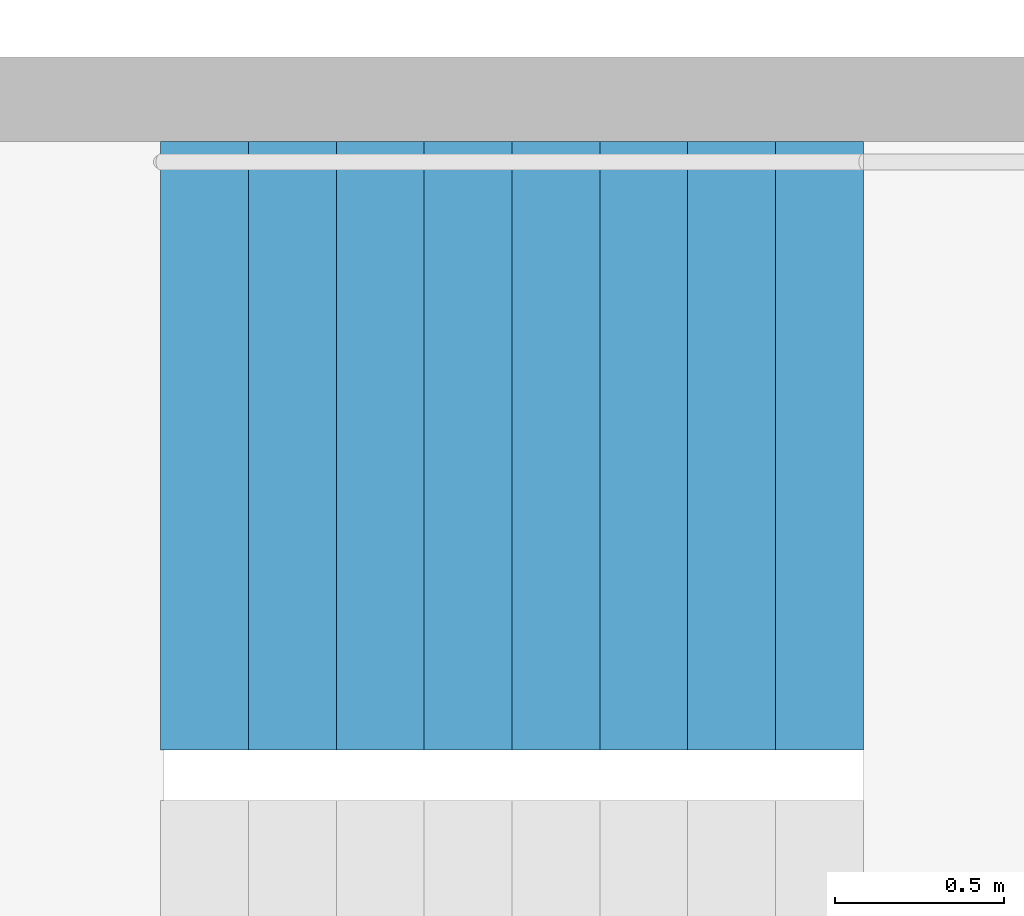
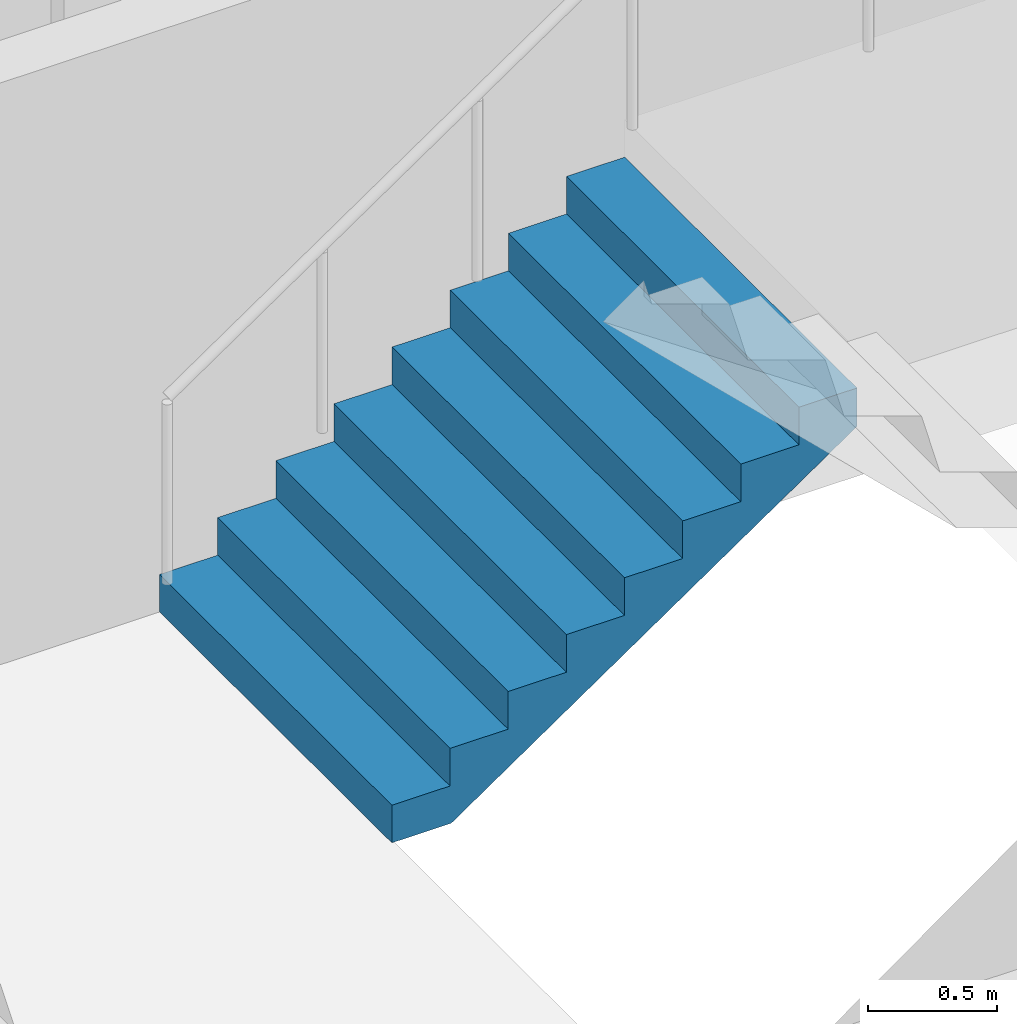
# One storey, part 24 of 27: 1 stair flight, 1 element without a shape of its own.
"""IFC4 building model written with IfcOpenShell, lengths in metres."""

from ifc_helpers import new_model, si_unit, direction, frame, origin, place, context, subcontext, project, spatial, triangles, material, type_object, element, aggregate, save


model = new_model("IFC4")

# Units and contexts
model_context = context("Model", 3, precision=1e-05, world=origin(), true_north=direction((0.0, 1.0)))
body_context = subcontext(model_context, "Body", "Model", "MODEL_VIEW")
ifc_project = project(units=[si_unit("LENGTHUNIT", "METRE"), si_unit("AREAUNIT", "SQUARE_METRE"), si_unit("VOLUMEUNIT", "CUBIC_METRE"), si_unit("PLANEANGLEUNIT", "RADIAN"), si_unit("MASSUNIT", "GRAM", prefix="KILO")], contexts=[model_context])

# Site, building, storey
site_placement = place(None, origin())
site = spatial("IfcSite", under=ifc_project, at=site_placement, CompositionType="ELEMENT")
building_placement = place(site_placement, origin())
building = spatial("IfcBuilding", under=site, at=building_placement, Name="Hakoniwa Tower and Hamabe Station Hall", CompositionType="ELEMENT")
storey_placement = place(building_placement, frame((0.0, 0.0, 239.0)))
storey = spatial("IfcBuildingStorey", under=building, at=storey_placement, Name="L67", CompositionType="ELEMENT", Elevation=239.0)

# Stair, stair flight
ifc_material_1 = material(Name="Concrete C40", Category="concrete")
stair_type = type_object("IfcStairType", Name="ESCAPE STAIR 1800", PredefinedType="HALF_TURN_STAIR", material=ifc_material_1)
stair_placement = place(storey_placement, origin())
stair = element("IfcStair", 1, at=stair_placement, inside=storey, type_object=stair_type, Name="Escape stair ST-4 L67", PredefinedType="HALF_TURN_STAIR")
ifc_material_2 = material(Name="Concrete C40", Category="concrete")
stair_flight_type = type_object("IfcStairFlightType", Name="STAIR FLIGHT 1800", PredefinedType="STRAIGHT", material=ifc_material_2)
stair_flight_placement = place(storey_placement, frame((23.39990234375, -4.64990234375, 0.0), z_axis=(0.0, 0.0, 1.0), x_axis=(1.0, 0.0, 0.0)))
stair_flight = element("IfcStairFlight", 2, at=stair_flight_placement, type_object=stair_flight_type, Name="ST-4 flight 1", NumberOfRisers=9, NumberOfTreads=8, PredefinedType="STRAIGHT", RiserHeight=0.177777778, TreadLength=0.26, context=body_context, shape_type="Tessellation", body=[
    triangles([(0.0, 0.89990234375, 0.0), (0.260009765625, 0.89990234375, 0.0), (0.265625, 0.89990234375, 0.0), (0.52001953125, 0.89990234375, 0.174072265625), (0.780029296875, 0.89990234375, 0.351806640625), (1.0400390625, 0.89990234375, 0.529541015625), (1.300048828125, 0.89990234375, 0.707275390625), (1.56005859375, 0.89990234375, 0.885009765625), (1.820068359375, 0.89990234375, 1.062744140625), (2.080078125, 0.89990234375, 1.24072265625), (2.080078125, 0.89990234375, 1.422119140625), (1.820068359375, 0.89990234375, 1.422119140625), (1.820068359375, 0.89990234375, 1.244384765625), (1.56005859375, 0.89990234375, 1.244384765625), (1.56005859375, 0.89990234375, 1.066650390625), (1.300048828125, 0.89990234375, 1.066650390625), (1.300048828125, 0.89990234375, 0.888916015625), (1.0400390625, 0.89990234375, 0.888916015625), (1.0400390625, 0.89990234375, 0.711181640625), (0.780029296875, 0.89990234375, 0.711181640625), (0.780029296875, 0.89990234375, 0.533447265625), (0.52001953125, 0.89990234375, 0.533447265625), (0.52001953125, 0.89990234375, 0.35546875), (0.265625, 0.89990234375, 0.35546875), (0.260009765625, 0.89990234375, 0.35546875), (0.260009765625, 0.89990234375, 0.177734375), (0.0, 0.89990234375, 0.177734375), (0.0, 0.06005859375, 0.0), (0.260009765625, 0.06005859375, 0.0), (0.265625, 0.06005859375, 0.0), (0.52001953125, 0.06005859375, 0.174072265625), (0.780029296875, 0.06005859375, 0.351806640625), (1.0400390625, 0.06005859375, 0.529541015625), (1.300048828125, 0.06005859375, 0.707275390625), (1.56005859375, 0.06005859375, 0.885009765625), (1.820068359375, 0.06005859375, 1.062744140625), (2.080078125, 0.06005859375, 1.24072265625), (2.080078125, 0.06005859375, 1.422119140625), (1.820068359375, 0.06005859375, 1.422119140625), (1.820068359375, 0.06005859375, 1.244384765625), (1.56005859375, 0.06005859375, 1.244384765625), (1.56005859375, 0.06005859375, 1.066650390625), (1.300048828125, 0.06005859375, 1.066650390625), (1.300048828125, 0.06005859375, 0.888916015625), (1.0400390625, 0.06005859375, 0.888916015625), (1.0400390625, 0.06005859375, 0.711181640625), (0.780029296875, 0.06005859375, 0.711181640625), (0.780029296875, 0.06005859375, 0.533447265625), (0.52001953125, 0.06005859375, 0.533447265625), (0.52001953125, 0.06005859375, 0.35546875), (0.265625, 0.06005859375, 0.35546875), (0.260009765625, 0.06005859375, 0.35546875), (0.260009765625, 0.06005859375, 0.177734375), (0.0, 0.06005859375, 0.177734375), (0.0, 0.04296875, 0.0), (0.260009765625, 0.04296875, 0.0), (0.265625, 0.04296875, 0.0), (0.52001953125, 0.04296875, 0.174072265625), (0.780029296875, 0.04296875, 0.351806640625), (1.0400390625, 0.04296875, 0.529541015625), (1.300048828125, 0.04296875, 0.707275390625), (1.56005859375, 0.04296875, 0.885009765625), (1.820068359375, 0.04296875, 1.062744140625), (2.080078125, 0.04296875, 1.24072265625), (2.080078125, 0.04296875, 1.422119140625), (1.820068359375, 0.04296875, 1.422119140625), (1.820068359375, 0.04296875, 1.244384765625), (1.56005859375, 0.04296875, 1.244384765625), (1.56005859375, 0.04296875, 1.066650390625), (1.300048828125, 0.04296875, 1.066650390625), (1.300048828125, 0.04296875, 0.888916015625), (1.0400390625, 0.04296875, 0.888916015625), (1.0400390625, 0.04296875, 0.711181640625), (0.780029296875, 0.04296875, 0.711181640625), (0.780029296875, 0.04296875, 0.533447265625), (0.52001953125, 0.04296875, 0.533447265625), (0.52001953125, 0.04296875, 0.35546875), (0.265625, 0.04296875, 0.35546875), (0.260009765625, 0.04296875, 0.35546875), (0.260009765625, 0.04296875, 0.177734375), (0.0, 0.04296875, 0.177734375), (0.0, 0.025634765625, 0.0), (0.260009765625, 0.025634765625, 0.0), (0.265625, 0.025634765625, 0.0), (0.52001953125, 0.025634765625, 0.174072265625), (0.780029296875, 0.025634765625, 0.351806640625), (1.0400390625, 0.025634765625, 0.529541015625), (1.300048828125, 0.025634765625, 0.707275390625), (1.56005859375, 0.025634765625, 0.885009765625), (1.820068359375, 0.025634765625, 1.062744140625), (2.080078125, 0.025634765625, 1.24072265625), (2.080078125, 0.025634765625, 1.422119140625), (1.820068359375, 0.025634765625, 1.422119140625), (1.820068359375, 0.025634765625, 1.244384765625), (1.56005859375, 0.025634765625, 1.244384765625), (1.56005859375, 0.025634765625, 1.066650390625), (1.300048828125, 0.025634765625, 1.066650390625), (1.300048828125, 0.025634765625, 0.888916015625), (1.0400390625, 0.025634765625, 0.888916015625), (1.0400390625, 0.025634765625, 0.711181640625), (0.780029296875, 0.025634765625, 0.711181640625), (0.780029296875, 0.025634765625, 0.533447265625), (0.52001953125, 0.025634765625, 0.533447265625), (0.52001953125, 0.025634765625, 0.35546875), (0.265625, 0.025634765625, 0.35546875), (0.260009765625, 0.025634765625, 0.35546875), (0.260009765625, 0.025634765625, 0.177734375), (0.0, 0.025634765625, 0.177734375), (0.0, 0.008544921875, 0.0), (0.260009765625, 0.008544921875, 0.0), (0.265625, 0.008544921875, 0.0), (0.52001953125, 0.008544921875, 0.174072265625), (0.780029296875, 0.008544921875, 0.351806640625), (1.0400390625, 0.008544921875, 0.529541015625), (1.300048828125, 0.008544921875, 0.707275390625), (1.56005859375, 0.008544921875, 0.885009765625), (1.820068359375, 0.008544921875, 1.062744140625), (2.080078125, 0.008544921875, 1.24072265625), (2.080078125, 0.008544921875, 1.422119140625), (1.820068359375, 0.008544921875, 1.422119140625), (1.820068359375, 0.008544921875, 1.244384765625), (1.56005859375, 0.008544921875, 1.244384765625), (1.56005859375, 0.008544921875, 1.066650390625), (1.300048828125, 0.008544921875, 1.066650390625), (1.300048828125, 0.008544921875, 0.888916015625), (1.0400390625, 0.008544921875, 0.888916015625), (1.0400390625, 0.008544921875, 0.711181640625), (0.780029296875, 0.008544921875, 0.711181640625), (0.780029296875, 0.008544921875, 0.533447265625), (0.52001953125, 0.008544921875, 0.533447265625), (0.52001953125, 0.008544921875, 0.35546875), (0.265625, 0.008544921875, 0.35546875), (0.260009765625, 0.008544921875, 0.35546875), (0.260009765625, 0.008544921875, 0.177734375), (0.0, 0.008544921875, 0.177734375), (0.0, -0.008544921875, 0.0), (0.260009765625, -0.008544921875, 0.0), (0.265625, -0.008544921875, 0.0), (0.52001953125, -0.008544921875, 0.174072265625), (0.780029296875, -0.008544921875, 0.351806640625), (1.0400390625, -0.008544921875, 0.529541015625), (1.300048828125, -0.008544921875, 0.707275390625), (1.56005859375, -0.008544921875, 0.885009765625), (1.820068359375, -0.008544921875, 1.062744140625), (2.080078125, -0.008544921875, 1.24072265625), (2.080078125, -0.008544921875, 1.422119140625), (1.820068359375, -0.008544921875, 1.422119140625), (1.820068359375, -0.008544921875, 1.244384765625), (1.56005859375, -0.008544921875, 1.244384765625), (1.56005859375, -0.008544921875, 1.066650390625), (1.300048828125, -0.008544921875, 1.066650390625), (1.300048828125, -0.008544921875, 0.888916015625), (1.0400390625, -0.008544921875, 0.888916015625), (1.0400390625, -0.008544921875, 0.711181640625), (0.780029296875, -0.008544921875, 0.711181640625), (0.780029296875, -0.008544921875, 0.533447265625), (0.52001953125, -0.008544921875, 0.533447265625), (0.52001953125, -0.008544921875, 0.35546875), (0.265625, -0.008544921875, 0.35546875), (0.260009765625, -0.008544921875, 0.35546875), (0.260009765625, -0.008544921875, 0.177734375), (0.0, -0.008544921875, 0.177734375), (0.0, -0.025634765625, 0.0), (0.260009765625, -0.025634765625, 0.0), (0.265625, -0.025634765625, 0.0), (0.52001953125, -0.025634765625, 0.174072265625), (0.780029296875, -0.025634765625, 0.351806640625), (1.0400390625, -0.025634765625, 0.529541015625), (1.300048828125, -0.025634765625, 0.707275390625), (1.56005859375, -0.025634765625, 0.885009765625), (1.820068359375, -0.025634765625, 1.062744140625), (2.080078125, -0.025634765625, 1.24072265625), (2.080078125, -0.025634765625, 1.422119140625), (1.820068359375, -0.025634765625, 1.422119140625), (1.820068359375, -0.025634765625, 1.244384765625), (1.56005859375, -0.025634765625, 1.244384765625), (1.56005859375, -0.025634765625, 1.066650390625), (1.300048828125, -0.025634765625, 1.066650390625), (1.300048828125, -0.025634765625, 0.888916015625), (1.0400390625, -0.025634765625, 0.888916015625), (1.0400390625, -0.025634765625, 0.711181640625), (0.780029296875, -0.025634765625, 0.711181640625), (0.780029296875, -0.025634765625, 0.533447265625), (0.52001953125, -0.025634765625, 0.533447265625), (0.52001953125, -0.025634765625, 0.35546875), (0.265625, -0.025634765625, 0.35546875), (0.260009765625, -0.025634765625, 0.35546875), (0.260009765625, -0.025634765625, 0.177734375), (0.0, -0.025634765625, 0.177734375), (0.0, -0.04296875, 0.0), (0.260009765625, -0.04296875, 0.0), (0.265625, -0.04296875, 0.0), (0.52001953125, -0.04296875, 0.174072265625), (0.780029296875, -0.04296875, 0.351806640625), (1.0400390625, -0.04296875, 0.529541015625), (1.300048828125, -0.04296875, 0.707275390625), (1.56005859375, -0.04296875, 0.885009765625), (1.820068359375, -0.04296875, 1.062744140625), (2.080078125, -0.04296875, 1.24072265625), (2.080078125, -0.04296875, 1.422119140625), (1.820068359375, -0.04296875, 1.422119140625), (1.820068359375, -0.04296875, 1.244384765625), (1.56005859375, -0.04296875, 1.244384765625), (1.56005859375, -0.04296875, 1.066650390625), (1.300048828125, -0.04296875, 1.066650390625), (1.300048828125, -0.04296875, 0.888916015625), (1.0400390625, -0.04296875, 0.888916015625), (1.0400390625, -0.04296875, 0.711181640625), (0.780029296875, -0.04296875, 0.711181640625), (0.780029296875, -0.04296875, 0.533447265625), (0.52001953125, -0.04296875, 0.533447265625), (0.52001953125, -0.04296875, 0.35546875), (0.265625, -0.04296875, 0.35546875), (0.260009765625, -0.04296875, 0.35546875), (0.260009765625, -0.04296875, 0.177734375), (0.0, -0.04296875, 0.177734375), (0.0, -0.06005859375, 0.0), (0.260009765625, -0.06005859375, 0.0), (0.265625, -0.06005859375, 0.0), (0.52001953125, -0.06005859375, 0.174072265625), (0.780029296875, -0.06005859375, 0.351806640625), (1.0400390625, -0.06005859375, 0.529541015625), (1.300048828125, -0.06005859375, 0.707275390625), (1.56005859375, -0.06005859375, 0.885009765625), (1.820068359375, -0.06005859375, 1.062744140625), (2.080078125, -0.06005859375, 1.24072265625), (2.080078125, -0.06005859375, 1.422119140625), (1.820068359375, -0.06005859375, 1.422119140625), (1.820068359375, -0.06005859375, 1.244384765625), (1.56005859375, -0.06005859375, 1.244384765625), (1.56005859375, -0.06005859375, 1.066650390625), (1.300048828125, -0.06005859375, 1.066650390625), (1.300048828125, -0.06005859375, 0.888916015625), (1.0400390625, -0.06005859375, 0.888916015625), (1.0400390625, -0.06005859375, 0.711181640625), (0.780029296875, -0.06005859375, 0.711181640625), (0.780029296875, -0.06005859375, 0.533447265625), (0.52001953125, -0.06005859375, 0.533447265625), (0.52001953125, -0.06005859375, 0.35546875), (0.265625, -0.06005859375, 0.35546875), (0.260009765625, -0.06005859375, 0.35546875), (0.260009765625, -0.06005859375, 0.177734375), (0.0, -0.06005859375, 0.177734375), (0.0, -0.89990234375, 0.0), (0.260009765625, -0.89990234375, 0.0), (0.265625, -0.89990234375, 0.0), (0.52001953125, -0.89990234375, 0.174072265625), (0.780029296875, -0.89990234375, 0.351806640625), (1.0400390625, -0.89990234375, 0.529541015625), (1.300048828125, -0.89990234375, 0.707275390625), (1.56005859375, -0.89990234375, 0.885009765625), (1.820068359375, -0.89990234375, 1.062744140625), (2.080078125, -0.89990234375, 1.24072265625), (2.080078125, -0.89990234375, 1.422119140625), (1.820068359375, -0.89990234375, 1.422119140625), (1.820068359375, -0.89990234375, 1.244384765625), (1.56005859375, -0.89990234375, 1.244384765625), (1.56005859375, -0.89990234375, 1.066650390625), (1.300048828125, -0.89990234375, 1.066650390625), (1.300048828125, -0.89990234375, 0.888916015625), (1.0400390625, -0.89990234375, 0.888916015625), (1.0400390625, -0.89990234375, 0.711181640625), (0.780029296875, -0.89990234375, 0.711181640625), (0.780029296875, -0.89990234375, 0.533447265625), (0.52001953125, -0.89990234375, 0.533447265625), (0.52001953125, -0.89990234375, 0.35546875), (0.265625, -0.89990234375, 0.35546875), (0.260009765625, -0.89990234375, 0.35546875), (0.260009765625, -0.89990234375, 0.177734375), (0.0, -0.89990234375, 0.177734375)], [[2, 27, 26], [245, 269, 270], [2, 1, 27], [245, 270, 244], [3, 25, 24], [246, 267, 268], [3, 26, 25], [246, 268, 269], [3, 2, 26], [246, 269, 245], [4, 24, 23], [247, 266, 267], [4, 3, 24], [247, 267, 246], [5, 22, 21], [248, 264, 265], [5, 23, 22], [248, 265, 266], [5, 4, 23], [248, 266, 247], [6, 20, 19], [249, 262, 263], [6, 21, 20], [249, 263, 264], [6, 5, 21], [249, 264, 248], [7, 18, 17], [250, 260, 261], [7, 19, 18], [250, 261, 262], [7, 6, 19], [250, 262, 249], [8, 16, 15], [251, 258, 259], [8, 17, 16], [251, 259, 260], [8, 7, 17], [251, 260, 250], [9, 14, 13], [252, 256, 257], [9, 15, 14], [252, 257, 258], [9, 8, 15], [252, 258, 251], [10, 12, 11], [253, 254, 255], [10, 13, 12], [253, 255, 256], [10, 9, 13], [253, 256, 252], [1, 2, 29], [1, 29, 28], [28, 29, 56], [28, 56, 55], [55, 56, 83], [55, 83, 82], [82, 83, 110], [82, 110, 109], [109, 110, 137], [109, 137, 136], [136, 137, 164], [136, 164, 163], [163, 164, 191], [163, 191, 190], [190, 191, 218], [190, 218, 217], [217, 218, 245], [217, 245, 244], [2, 3, 30], [2, 30, 29], [29, 30, 57], [29, 57, 56], [56, 57, 84], [56, 84, 83], [83, 84, 111], [83, 111, 110], [110, 111, 138], [110, 138, 137], [137, 138, 165], [137, 165, 164], [164, 165, 192], [164, 192, 191], [191, 192, 219], [191, 219, 218], [218, 219, 246], [218, 246, 245], [3, 4, 31], [3, 31, 30], [30, 31, 58], [30, 58, 57], [57, 58, 85], [57, 85, 84], [84, 85, 112], [84, 112, 111], [111, 112, 139], [111, 139, 138], [138, 139, 166], [138, 166, 165], [165, 166, 193], [165, 193, 192], [192, 193, 220], [192, 220, 219], [219, 220, 247], [219, 247, 246], [4, 5, 32], [4, 32, 31], [31, 32, 59], [31, 59, 58], [58, 59, 86], [58, 86, 85], [85, 86, 113], [85, 113, 112], [112, 113, 140], [112, 140, 139], [139, 140, 167], [139, 167, 166], [166, 167, 194], [166, 194, 193], [193, 194, 221], [193, 221, 220], [220, 221, 248], [220, 248, 247], [5, 6, 33], [5, 33, 32], [32, 33, 60], [32, 60, 59], [59, 60, 87], [59, 87, 86], [86, 87, 114], [86, 114, 113], [113, 114, 141], [113, 141, 140], [140, 141, 168], [140, 168, 167], [167, 168, 195], [167, 195, 194], [194, 195, 222], [194, 222, 221], [221, 222, 249], [221, 249, 248], [6, 7, 34], [6, 34, 33], [33, 34, 61], [33, 61, 60], [60, 61, 88], [60, 88, 87], [87, 88, 115], [87, 115, 114], [114, 115, 142], [114, 142, 141], [141, 142, 169], [141, 169, 168], [168, 169, 196], [168, 196, 195], [195, 196, 223], [195, 223, 222], [222, 223, 250], [222, 250, 249], [7, 8, 35], [7, 35, 34], [34, 35, 62], [34, 62, 61], [61, 62, 89], [61, 89, 88], [88, 89, 116], [88, 116, 115], [115, 116, 143], [115, 143, 142], [142, 143, 170], [142, 170, 169], [169, 170, 197], [169, 197, 196], [196, 197, 224], [196, 224, 223], [223, 224, 251], [223, 251, 250], [8, 9, 36], [8, 36, 35], [35, 36, 63], [35, 63, 62], [62, 63, 90], [62, 90, 89], [89, 90, 117], [89, 117, 116], [116, 117, 144], [116, 144, 143], [143, 144, 171], [143, 171, 170], [170, 171, 198], [170, 198, 197], [197, 198, 225], [197, 225, 224], [224, 225, 252], [224, 252, 251], [9, 10, 37], [9, 37, 36], [36, 37, 64], [36, 64, 63], [63, 64, 91], [63, 91, 90], [90, 91, 118], [90, 118, 117], [117, 118, 145], [117, 145, 144], [144, 145, 172], [144, 172, 171], [171, 172, 199], [171, 199, 198], [198, 199, 226], [198, 226, 225], [225, 226, 253], [225, 253, 252], [10, 11, 38], [10, 38, 37], [37, 38, 65], [37, 65, 64], [64, 65, 92], [64, 92, 91], [91, 92, 119], [91, 119, 118], [118, 119, 146], [118, 146, 145], [145, 146, 173], [145, 173, 172], [172, 173, 200], [172, 200, 199], [199, 200, 227], [199, 227, 226], [226, 227, 254], [226, 254, 253], [11, 12, 39], [11, 39, 38], [38, 39, 66], [38, 66, 65], [65, 66, 93], [65, 93, 92], [92, 93, 120], [92, 120, 119], [119, 120, 147], [119, 147, 146], [146, 147, 174], [146, 174, 173], [173, 174, 201], [173, 201, 200], [200, 201, 228], [200, 228, 227], [227, 228, 255], [227, 255, 254], [12, 13, 40], [12, 40, 39], [39, 40, 67], [39, 67, 66], [66, 67, 94], [66, 94, 93], [93, 94, 121], [93, 121, 120], [120, 121, 148], [120, 148, 147], [147, 148, 175], [147, 175, 174], [174, 175, 202], [174, 202, 201], [201, 202, 229], [201, 229, 228], [228, 229, 256], [228, 256, 255], [13, 14, 41], [13, 41, 40], [40, 41, 68], [40, 68, 67], [67, 68, 95], [67, 95, 94], [94, 95, 122], [94, 122, 121], [121, 122, 149], [121, 149, 148], [148, 149, 176], [148, 176, 175], [175, 176, 203], [175, 203, 202], [202, 203, 230], [202, 230, 229], [229, 230, 257], [229, 257, 256], [14, 15, 42], [14, 42, 41], [41, 42, 69], [41, 69, 68], [68, 69, 96], [68, 96, 95], [95, 96, 123], [95, 123, 122], [122, 123, 150], [122, 150, 149], [149, 150, 177], [149, 177, 176], [176, 177, 204], [176, 204, 203], [203, 204, 231], [203, 231, 230], [230, 231, 258], [230, 258, 257], [15, 16, 43], [15, 43, 42], [42, 43, 70], [42, 70, 69], [69, 70, 97], [69, 97, 96], [96, 97, 124], [96, 124, 123], [123, 124, 151], [123, 151, 150], [150, 151, 178], [150, 178, 177], [177, 178, 205], [177, 205, 204], [204, 205, 232], [204, 232, 231], [231, 232, 259], [231, 259, 258], [16, 17, 44], [16, 44, 43], [43, 44, 71], [43, 71, 70], [70, 71, 98], [70, 98, 97], [97, 98, 125], [97, 125, 124], [124, 125, 152], [124, 152, 151], [151, 152, 179], [151, 179, 178], [178, 179, 206], [178, 206, 205], [205, 206, 233], [205, 233, 232], [232, 233, 260], [232, 260, 259], [17, 18, 45], [17, 45, 44], [44, 45, 72], [44, 72, 71], [71, 72, 99], [71, 99, 98], [98, 99, 126], [98, 126, 125], [125, 126, 153], [125, 153, 152], [152, 153, 180], [152, 180, 179], [179, 180, 207], [179, 207, 206], [206, 207, 234], [206, 234, 233], [233, 234, 261], [233, 261, 260], [18, 19, 46], [18, 46, 45], [45, 46, 73], [45, 73, 72], [72, 73, 100], [72, 100, 99], [99, 100, 127], [99, 127, 126], [126, 127, 154], [126, 154, 153], [153, 154, 181], [153, 181, 180], [180, 181, 208], [180, 208, 207], [207, 208, 235], [207, 235, 234], [234, 235, 262], [234, 262, 261], [19, 20, 47], [19, 47, 46], [46, 47, 74], [46, 74, 73], [73, 74, 101], [73, 101, 100], [100, 101, 128], [100, 128, 127], [127, 128, 155], [127, 155, 154], [154, 155, 182], [154, 182, 181], [181, 182, 209], [181, 209, 208], [208, 209, 236], [208, 236, 235], [235, 236, 263], [235, 263, 262], [20, 21, 48], [20, 48, 47], [47, 48, 75], [47, 75, 74], [74, 75, 102], [74, 102, 101], [101, 102, 129], [101, 129, 128], [128, 129, 156], [128, 156, 155], [155, 156, 183], [155, 183, 182], [182, 183, 210], [182, 210, 209], [209, 210, 237], [209, 237, 236], [236, 237, 264], [236, 264, 263], [21, 22, 49], [21, 49, 48], [48, 49, 76], [48, 76, 75], [75, 76, 103], [75, 103, 102], [102, 103, 130], [102, 130, 129], [129, 130, 157], [129, 157, 156], [156, 157, 184], [156, 184, 183], [183, 184, 211], [183, 211, 210], [210, 211, 238], [210, 238, 237], [237, 238, 265], [237, 265, 264], [22, 23, 50], [22, 50, 49], [49, 50, 77], [49, 77, 76], [76, 77, 104], [76, 104, 103], [103, 104, 131], [103, 131, 130], [130, 131, 158], [130, 158, 157], [157, 158, 185], [157, 185, 184], [184, 185, 212], [184, 212, 211], [211, 212, 239], [211, 239, 238], [238, 239, 266], [238, 266, 265], [23, 24, 51], [23, 51, 50], [50, 51, 78], [50, 78, 77], [77, 78, 105], [77, 105, 104], [104, 105, 132], [104, 132, 131], [131, 132, 159], [131, 159, 158], [158, 159, 186], [158, 186, 185], [185, 186, 213], [185, 213, 212], [212, 213, 240], [212, 240, 239], [239, 240, 267], [239, 267, 266], [24, 25, 52], [24, 52, 51], [51, 52, 79], [51, 79, 78], [78, 79, 106], [78, 106, 105], [105, 106, 133], [105, 133, 132], [132, 133, 160], [132, 160, 159], [159, 160, 187], [159, 187, 186], [186, 187, 214], [186, 214, 213], [213, 214, 241], [213, 241, 240], [240, 241, 268], [240, 268, 267], [25, 26, 53], [25, 53, 52], [52, 53, 80], [52, 80, 79], [79, 80, 107], [79, 107, 106], [106, 107, 134], [106, 134, 133], [133, 134, 161], [133, 161, 160], [160, 161, 188], [160, 188, 187], [187, 188, 215], [187, 215, 214], [214, 215, 242], [214, 242, 241], [241, 242, 269], [241, 269, 268], [26, 27, 54], [26, 54, 53], [53, 54, 81], [53, 81, 80], [80, 81, 108], [80, 108, 107], [107, 108, 135], [107, 135, 134], [134, 135, 162], [134, 162, 161], [161, 162, 189], [161, 189, 188], [188, 189, 216], [188, 216, 215], [215, 216, 243], [215, 243, 242], [242, 243, 270], [242, 270, 269], [27, 1, 28], [27, 28, 54], [54, 28, 55], [54, 55, 81], [81, 55, 82], [81, 82, 108], [108, 82, 109], [108, 109, 135], [135, 109, 136], [135, 136, 162], [162, 136, 163], [162, 163, 189], [189, 163, 190], [189, 190, 216], [216, 190, 217], [216, 217, 243], [243, 217, 244], [243, 244, 270]], closed=True),
])
aggregate(stair, [stair_flight])

save(model, "model.ifc")
